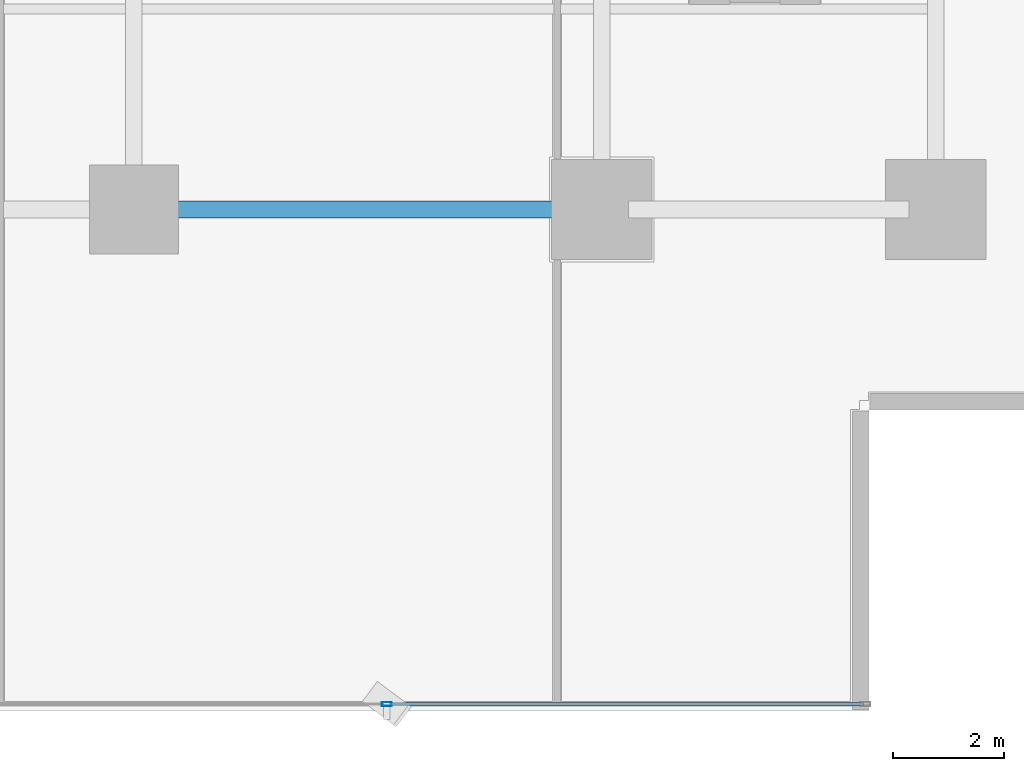
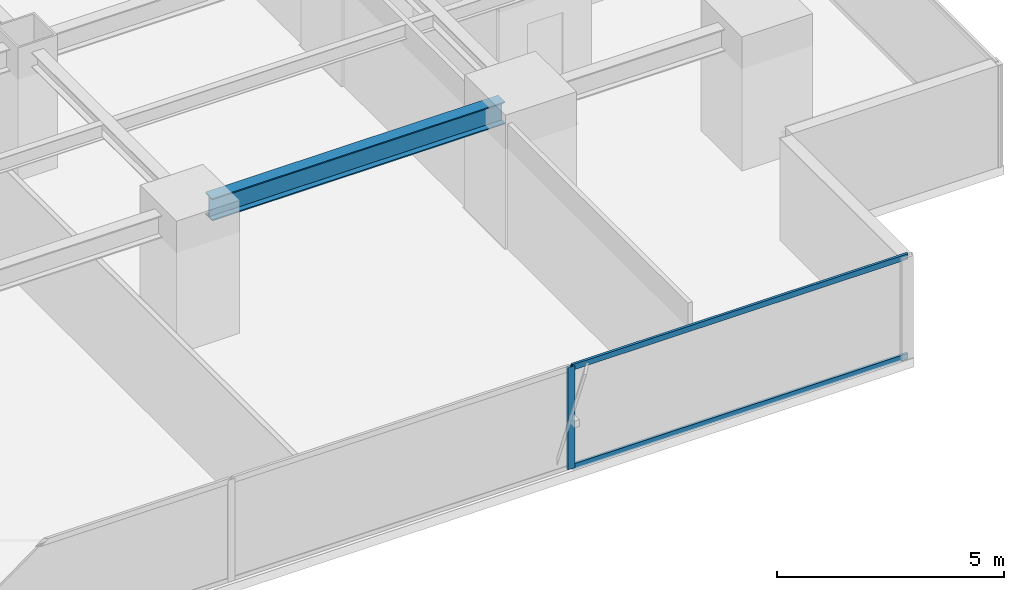
# One storey, part 11 of 33: 3 members, 1 beam, 1 element without a shape of its own.
"""IFC4 building model written with IfcOpenShell, lengths in metres."""

from ifc_helpers import new_model, si_unit, direction, frame, origin, origin_2d, place, context, subcontext, project, spatial, hollow_rectangle, i_section, extrude, source, transform, mapped, material, layer, layer_set, material_profile, profile_set, type_object, element, aggregate, save


model = new_model("IFC4")

# Units and contexts
model_context = context("Model", 3, precision=1e-05, world=origin(), true_north=direction((0.0, 1.0)))
body_context = subcontext(model_context, "Body", "Model", "MODEL_VIEW")
ifc_project = project(units=[si_unit("LENGTHUNIT", "METRE"), si_unit("AREAUNIT", "SQUARE_METRE"), si_unit("VOLUMEUNIT", "CUBIC_METRE"), si_unit("PLANEANGLEUNIT", "RADIAN"), si_unit("MASSUNIT", "GRAM", prefix="KILO")], contexts=[model_context])

# Site, building, storey
site_placement = place(None, origin())
site = spatial("IfcSite", under=ifc_project, at=site_placement, CompositionType="ELEMENT")
building_placement = place(site_placement, origin())
building = spatial("IfcBuilding", under=site, at=building_placement, Name="Sumidabori Civic Tower", CompositionType="ELEMENT")
storey_placement = place(building_placement, frame((0.0, 0.0, 27.199951171875)))
storey = spatial("IfcBuildingStorey", under=building, at=storey_placement, Name="L06", CompositionType="ELEMENT", Elevation=27.199951171875)

# Beam
ifc_material_1 = material(Name="Steel SN490", Category="steel")
ifc_material_profile_1 = material_profile(ifc_material_1, i_section(OverallWidth=0.300048828125, OverallDepth=0.60009765625, WebThickness=0.015380859375, FlangeThickness=0.030029296875, at=origin_2d()), Name="HE 600 B")
ifc_profile_set_1 = profile_set([ifc_material_profile_1], Name="Steel SN490")
beam_type = type_object("IfcBeamType", Name="BM-GIRD-600", PredefinedType="BEAM", material=ifc_profile_set_1)
shared_shape_1 = source(origin(), body_context, "Body", "SweptSolid", [
    extrude(i_section(OverallWidth=0.300048828125, OverallDepth=0.60009765625, WebThickness=0.015380859375, FlangeThickness=0.030029296875, at=origin_2d()), origin(), (0.0, 0.0, 1.0), 7.440185546875),
])
beam_placement = place(storey_placement, frame((8.8798828125, -18.0, 3.06005859375), z_axis=(1.0, 0.0, 0.0), x_axis=(0.0, 1.0, 0.0)))
element("IfcBeam", 1, at=beam_placement, inside=storey, type_object=beam_type, Name="Primary Girder L06 GX-05", PredefinedType="BEAM", context=body_context, shape_type="MappedRepresentation", body=[
    mapped(shared_shape_1, transform((0.0, 0.0, 0.0), x_axis=(1.0, 0.0, 0.0), y_axis=(0.0, 1.0, 0.0), z_axis=(0.0, 0.0, 1.0), scale=1.0)),
])

# Curtain wall, members
ifc_material_2 = material(Name="Anodised Bronze Aluminium AW-6063-T6", Category="aluminium")
ifc_layer = layer(ifc_material_2, 0.179931640625, Name="Anodised Bronze Aluminium AW-6063-T6")
ifc_layer_set = layer_set([ifc_layer], Name="Anodised Bronze Aluminium AW-6063-T6")
curtain_wall_type = type_object("IfcCurtainWallType", Name="CW-SYS-2", PredefinedType="NOTDEFINED", material=ifc_layer_set)
curtain_wall_placement = place(storey_placement, origin())
curtain_wall = element("IfcCurtainWall", 2, at=curtain_wall_placement, inside=storey, type_object=curtain_wall_type, Name="Curtain Wall CW:L06:R01", PredefinedType="NOTDEFINED")
ifc_material_profile_2 = material_profile(ifc_material_2, hollow_rectangle(XDim=0.070068359375, YDim=0.179931640625, WallThickness=0.006103515625, at=origin_2d()), Name="ALU MULLION 180x70")
ifc_profile_set_2 = profile_set([ifc_material_profile_2], Name="Anodised Bronze Aluminium AW-6063-T6")
member_type_1 = type_object("IfcMemberType", Name="CW-MUL-180", PredefinedType="MULLION", material=ifc_profile_set_2)
shared_shape_2 = source(origin(), body_context, "Body", "SweptSolid", [
    extrude(hollow_rectangle(XDim=0.070068359375, YDim=0.179931640625, WallThickness=0.006103515625, at=origin_2d()), origin(), (0.0, 0.0, 1.0), 2.739990234375),
])
member_1_placement = place(storey_placement, frame((12.94189453125, -26.8798828125, 0.0), z_axis=(0.0, 0.0, 1.0), x_axis=(0.0, 1.0, 0.0)))
member_1 = element("IfcMember", 3, at=member_1_placement, type_object=member_type_1, Name="CW-2 mullion 5", PredefinedType="MULLION", context=body_context, shape_type="MappedRepresentation", body=[
    mapped(shared_shape_2, transform((0.0, 0.0, 0.0), x_axis=(1.0, 0.0, 0.0), y_axis=(0.0, 1.0, 0.0), z_axis=(0.0, 0.0, 1.0), scale=1.0)),
])
ifc_material_profile_3 = material_profile(ifc_material_2, hollow_rectangle(XDim=0.06494140625, YDim=0.14990234375, WallThickness=0.0048828125, at=origin_2d()), Name="ALU TRANSOM 150x65")
ifc_profile_set_3 = profile_set([ifc_material_profile_3], Name="Anodised Bronze Aluminium AW-6063-T6")
member_type_2 = type_object("IfcMemberType", Name="CW-TRN-150", PredefinedType="USERDEFINED", material=ifc_profile_set_3)
shared_shape_3 = source(origin(), body_context, "Body", "SweptSolid", [
    extrude(hollow_rectangle(XDim=0.06494140625, YDim=0.14990234375, WallThickness=0.0048828125, at=origin_2d()), origin(), (0.0, 0.0, 1.0), 8.52294921875),
])
member_2_placement = place(storey_placement, frame((12.97705078125, -26.8798828125, 0.032470703125), z_axis=(1.0, 0.0, 0.0), x_axis=(0.0, 1.0, 0.0)))
member_2 = element("IfcMember", 4, at=member_2_placement, type_object=member_type_2, Name="CW-2 transom 5.1", ObjectType="TRANSOM", PredefinedType="USERDEFINED", context=body_context, shape_type="MappedRepresentation", body=[
    mapped(shared_shape_3, transform((0.0, 0.0, 0.0), x_axis=(1.0, 0.0, 0.0), y_axis=(0.0, 1.0, 0.0), z_axis=(0.0, 0.0, 1.0), scale=1.0)),
])
member_3_placement = place(storey_placement, frame((12.97705078125, -26.8798828125, 2.70751953125), z_axis=(1.0, 0.0, 0.0), x_axis=(0.0, 1.0, 0.0)))
member_3 = element("IfcMember", 5, at=member_3_placement, type_object=member_type_2, Name="CW-2 transom 5.2", ObjectType="TRANSOM", PredefinedType="USERDEFINED", context=body_context, shape_type="MappedRepresentation", body=[
    mapped(shared_shape_3, transform((0.0, 0.0, 0.0), x_axis=(1.0, 0.0, 0.0), y_axis=(0.0, 1.0, 0.0), z_axis=(0.0, 0.0, 1.0), scale=1.0)),
])
aggregate(curtain_wall, [member_1, member_2, member_3])

save(model, "model.ifc")
